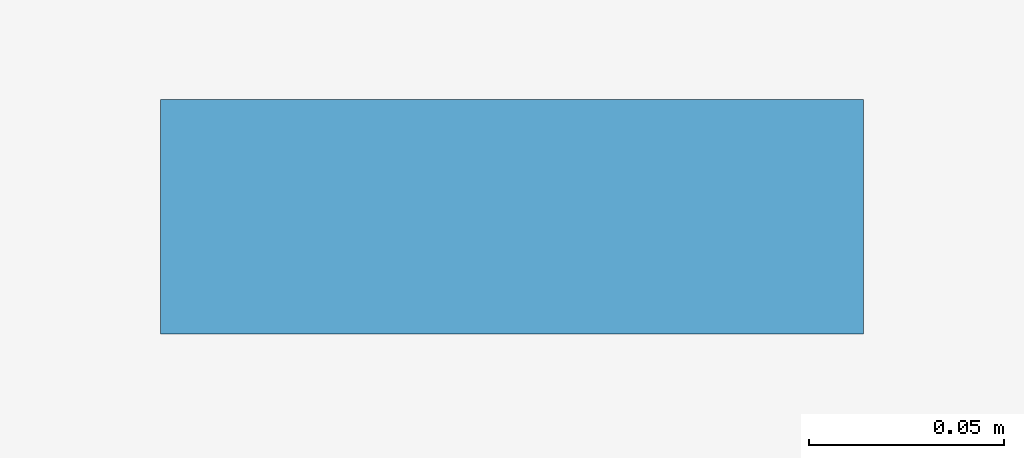
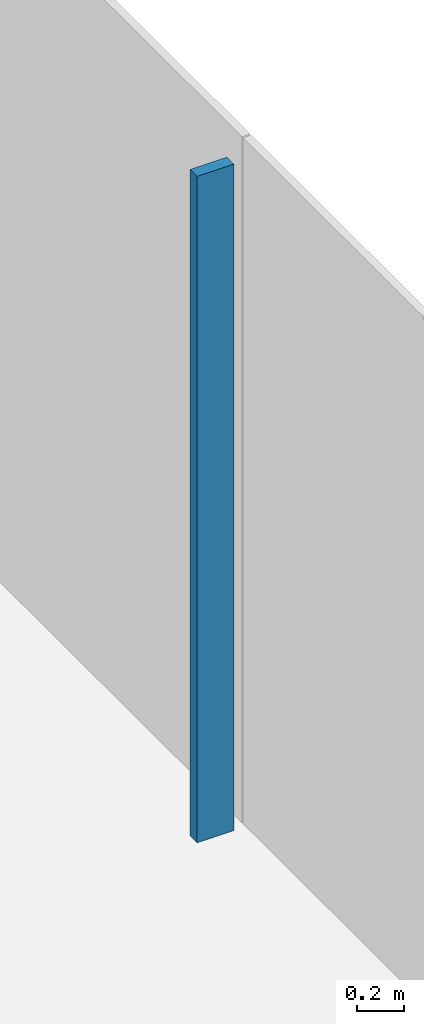
# One storey, part 9 of 21: 1 member, 1 element without a shape of its own.
"""IFC4 building model written with IfcOpenShell, lengths in metres."""

from ifc_helpers import new_model, si_unit, direction, frame, origin, origin_2d, place, context, subcontext, project, spatial, rectangle, extrude, material, layer, layer_set, material_profile, profile_set, type_object, element, aggregate, save


model = new_model("IFC4")

# Units and contexts
model_context = context("Model", 3, precision=1e-05, world=origin(), true_north=direction((0.0, 1.0)))
body_context = subcontext(model_context, "Body", "Model", "MODEL_VIEW")
ifc_project = project(units=[si_unit("LENGTHUNIT", "METRE"), si_unit("AREAUNIT", "SQUARE_METRE"), si_unit("VOLUMEUNIT", "CUBIC_METRE"), si_unit("PLANEANGLEUNIT", "RADIAN"), si_unit("MASSUNIT", "GRAM", prefix="KILO")], contexts=[model_context])

# Site, building, storey
site_placement = place(None, origin())
site = spatial("IfcSite", under=ifc_project, at=site_placement, CompositionType="ELEMENT")
building_placement = place(site_placement, origin())
building = spatial("IfcBuilding", under=site, at=building_placement, Name="Shamsa Quay Exchange Towers", CompositionType="ELEMENT")
storey_placement = place(building_placement, frame((0.0, 0.0, 61.5)))
storey = spatial("IfcBuildingStorey", under=building, at=storey_placement, Name="L13", CompositionType="ELEMENT", Elevation=61.5)

# Curtain wall, member
ifc_material = material(Name="Aluminium EN AW-6063 T6, black anodised", Category="aluminium")
ifc_layer = layer(ifc_material, 0.280029296875)
ifc_layer_set = layer_set([ifc_layer], Name="CW-1 UNITISED VISION GLASS")
curtain_wall_type = type_object("IfcCurtainWallType", Name="CW-1 UNITISED VISION GLASS", PredefinedType="NOTDEFINED", material=ifc_layer_set)
curtain_wall_placement = place(storey_placement, origin())
curtain_wall = element("IfcCurtainWall", 1, at=curtain_wall_placement, inside=storey, type_object=curtain_wall_type, Name="CW1 T2-END-V- L13", PredefinedType="NOTDEFINED")
ifc_material_profile = material_profile(ifc_material, rectangle(XDim=0.179931640625, YDim=0.06005859375, at=origin_2d()), Name="MU60x180")
ifc_profile_set = profile_set([ifc_material_profile], Name="Aluminium EN AW-6063 T6, black anodised")
member_type = type_object("IfcMemberType", Name="CW1 MULLION 60x180", PredefinedType="MULLION", material=ifc_profile_set)
member_placement = place(storey_placement, frame((62.85009765625, 2.25, 0.0), z_axis=(0.0, 0.0, 1.0), x_axis=(-1.0, 0.0, 0.0)))
member = element("IfcMember", 2, at=member_placement, type_object=member_type, Name="CW1 mullion", PredefinedType="MULLION", context=body_context, shape_type="SweptSolid", body=[
    extrude(rectangle(XDim=0.179931640625, YDim=0.06005859375, at=origin_2d()), origin(), (0.0, 0.0, 1.0), 3.449951171875),
])
aggregate(curtain_wall, [member])

save(model, "model.ifc")
